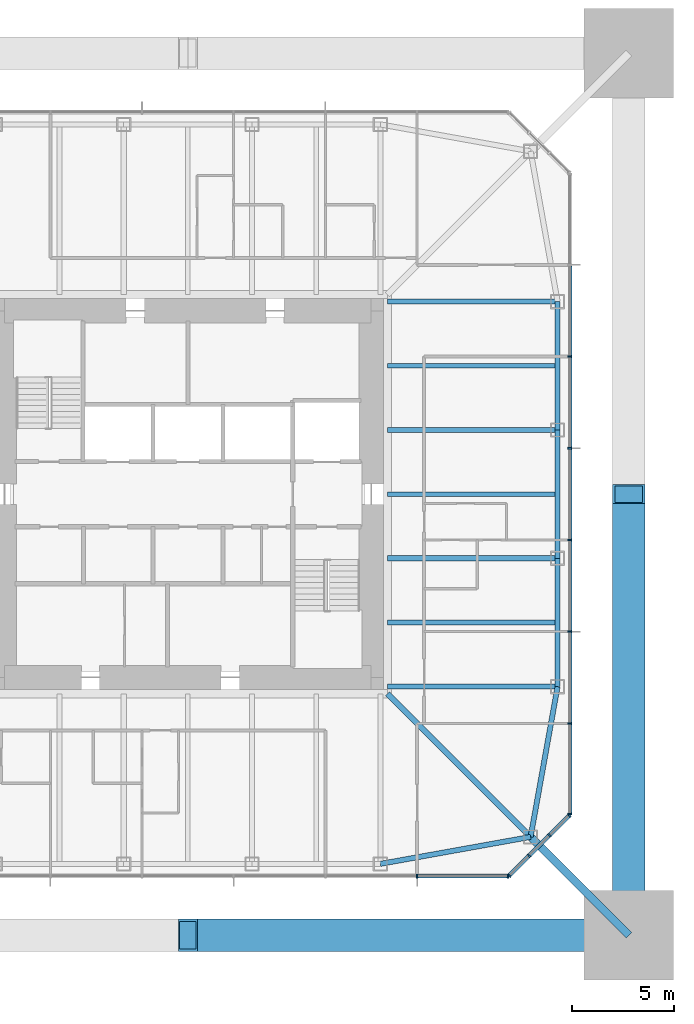
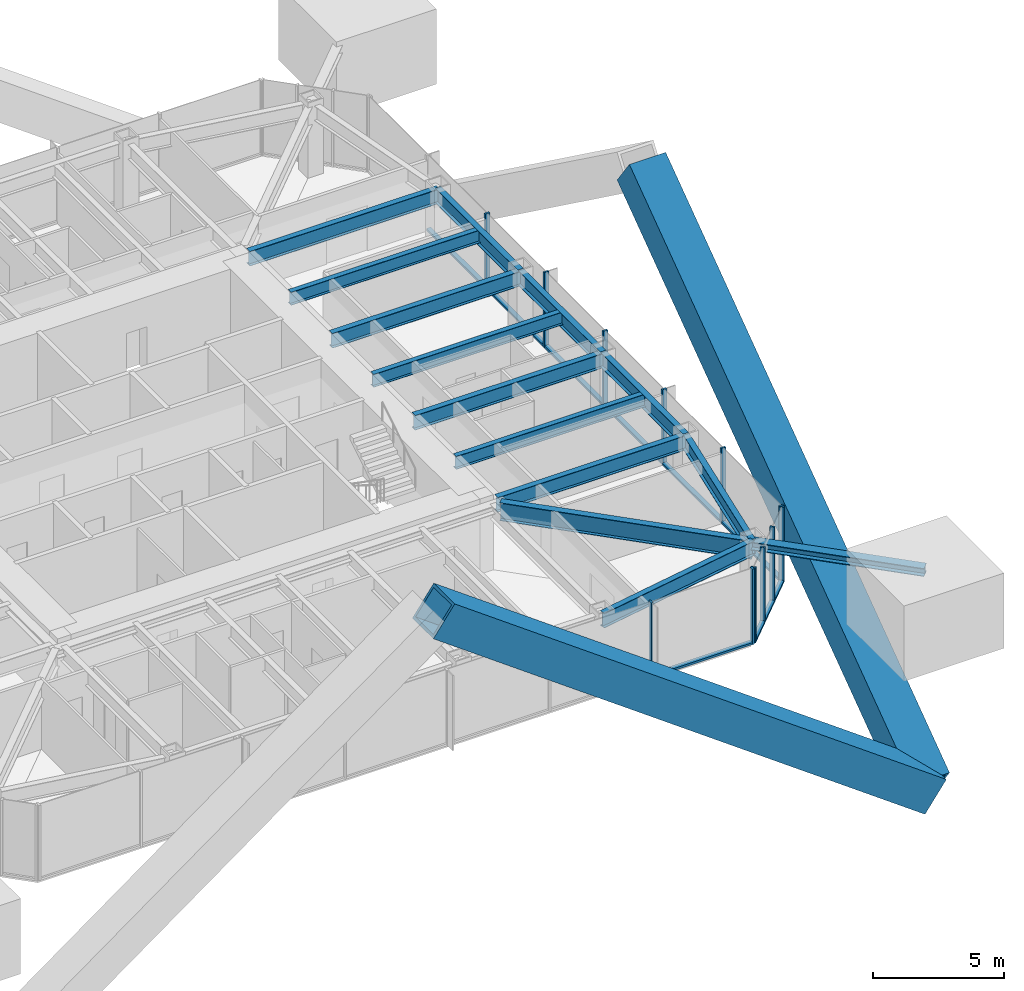
# One storey, part 4 of 13: 25 members, 13 beams, 3 elements without a shape of their own.
"""IFC4 building model written with IfcOpenShell, lengths in metres."""

from ifc_helpers import new_model, si_unit, direction, frame, origin, origin_2d, place, context, subcontext, project, spatial, rectangle, hollow_rectangle, i_section, extrude, material, material_profile, profile_set, type_object, element, aggregate, save


model = new_model("IFC4")

# Units and contexts
model_context = context("Model", 3, precision=1e-05, world=origin(), true_north=direction((0.0, 1.0)))
body_context = subcontext(model_context, "Body", "Model", "MODEL_VIEW")
ifc_project = project(units=[si_unit("LENGTHUNIT", "METRE"), si_unit("AREAUNIT", "SQUARE_METRE"), si_unit("VOLUMEUNIT", "CUBIC_METRE"), si_unit("PLANEANGLEUNIT", "RADIAN"), si_unit("MASSUNIT", "GRAM", prefix="KILO")], contexts=[model_context])

# Site, building, storey
site_placement = place(None, origin())
site = spatial("IfcSite", under=ifc_project, at=site_placement, CompositionType="ELEMENT")
building_placement = place(site_placement, origin())
building = spatial("IfcBuilding", under=site, at=building_placement, Name="Iwan Alto Co-Living Towers", CompositionType="ELEMENT")
storey_placement = place(building_placement, frame((0.0, 0.0, 184.5)))
storey = spatial("IfcBuildingStorey", under=building, at=storey_placement, Name="L50", CompositionType="ELEMENT", Elevation=184.5)

# Curtain wall, members
ifc_material_1 = material(Name="Bronze aluminium unitised frame", Category="aluminium")
curtain_wall_type_1 = type_object("IfcCurtainWallType", Name="CURTAIN WALL CW-A", PredefinedType="NOTDEFINED", material=ifc_material_1)
curtain_wall_1_placement = place(storey_placement, origin())
curtain_wall_1 = element("IfcCurtainWall", 1, at=curtain_wall_1_placement, inside=storey, type_object=curtain_wall_type_1, Name="T1 curtain wall S L50", PredefinedType="NOTDEFINED")
ifc_material_2 = material(Name="Aluminium 6063-T6 bronze anodised", Category="aluminium")
ifc_material_profile_1 = material_profile(ifc_material_2, rectangle(XDim=0.199951171875, YDim=0.080078125, at=origin_2d()), Name="AL 80X200")
ifc_profile_set_1 = profile_set([ifc_material_profile_1], Name="Aluminium 6063-T6 bronze anodised")
member_type_1 = type_object("IfcMemberType", Name="CW-A MULLION 80X200", PredefinedType="MULLION", material=ifc_profile_set_1)
member_1_placement = place(storey_placement, frame((11.25, -18.75, 0.0), z_axis=(0.0, 0.0, 1.0), x_axis=(0.0, 1.0, 0.0)))
member_1 = element("IfcMember", 2, at=member_1_placement, type_object=member_type_1, Name="CW-A mullion 7", PredefinedType="MULLION", context=body_context, shape_type="SweptSolid", body=[
    extrude(rectangle(XDim=0.199951171875, YDim=0.080078125, at=origin_2d()), origin(), (0.0, 0.0, 1.0), 3.5),
])
member_2_placement = place(storey_placement, frame((15.7099609375, -18.75, 0.0), z_axis=(0.0, 0.0, 1.0), x_axis=(0.0, 1.0, 0.0)))
member_2 = element("IfcMember", 3, at=member_2_placement, type_object=member_type_1, Name="CW-A mullion 8", PredefinedType="MULLION", context=body_context, shape_type="SweptSolid", body=[
    extrude(rectangle(XDim=0.199951171875, YDim=0.080078125, at=origin_2d()), origin(), (0.0, 0.0, 1.0), 3.5),
])

curtain_wall_2_placement = place(storey_placement, origin())
curtain_wall_2 = element("IfcCurtainWall", 4, at=curtain_wall_2_placement, inside=storey, type_object=curtain_wall_type_1, Name="T1 curtain wall E L50", PredefinedType="NOTDEFINED")
member_3_placement = place(storey_placement, frame((18.75, -15.7099609375, 0.0), z_axis=(0.0, 0.0, 1.0), x_axis=(-1.0, 0.0, 0.0)))
member_3 = element("IfcMember", 5, at=member_3_placement, type_object=member_type_1, Name="CW-A mullion 1", PredefinedType="MULLION", context=body_context, shape_type="SweptSolid", body=[
    extrude(rectangle(XDim=0.199951171875, YDim=0.080078125, at=origin_2d()), origin(), (0.0, 0.0, 1.0), 3.5),
])
member_4_placement = place(storey_placement, frame((18.75, -11.25, 0.0), z_axis=(0.0, 0.0, 1.0), x_axis=(-1.0, 0.0, 0.0)))
member_4 = element("IfcMember", 6, at=member_4_placement, type_object=member_type_1, Name="CW-A mullion 2", PredefinedType="MULLION", context=body_context, shape_type="SweptSolid", body=[
    extrude(rectangle(XDim=0.199951171875, YDim=0.080078125, at=origin_2d()), origin(), (0.0, 0.0, 1.0), 3.5),
])
member_5_placement = place(storey_placement, frame((18.75, -6.75, 0.0), z_axis=(0.0, 0.0, 1.0), x_axis=(-1.0, 0.0, 0.0)))
member_5 = element("IfcMember", 7, at=member_5_placement, type_object=member_type_1, Name="CW-A mullion 3", PredefinedType="MULLION", context=body_context, shape_type="SweptSolid", body=[
    extrude(rectangle(XDim=0.199951171875, YDim=0.080078125, at=origin_2d()), origin(), (0.0, 0.0, 1.0), 3.5),
])
member_6_placement = place(storey_placement, frame((18.75, -2.25, 0.0), z_axis=(0.0, 0.0, 1.0), x_axis=(-1.0, 0.0, 0.0)))
member_6 = element("IfcMember", 8, at=member_6_placement, type_object=member_type_1, Name="CW-A mullion 4", PredefinedType="MULLION", context=body_context, shape_type="SweptSolid", body=[
    extrude(rectangle(XDim=0.199951171875, YDim=0.080078125, at=origin_2d()), origin(), (0.0, 0.0, 1.0), 3.5),
])
member_7_placement = place(storey_placement, frame((18.75, 2.25, 0.0), z_axis=(0.0, 0.0, 1.0), x_axis=(-1.0, 0.0, 0.0)))
member_7 = element("IfcMember", 9, at=member_7_placement, type_object=member_type_1, Name="CW-A mullion 5", PredefinedType="MULLION", context=body_context, shape_type="SweptSolid", body=[
    extrude(rectangle(XDim=0.199951171875, YDim=0.080078125, at=origin_2d()), origin(), (0.0, 0.0, 1.0), 3.5),
])
member_8_placement = place(storey_placement, frame((18.75, 6.75, 0.0), z_axis=(0.0, 0.0, 1.0), x_axis=(-1.0, 0.0, 0.0)))
member_8 = element("IfcMember", 10, at=member_8_placement, type_object=member_type_1, Name="CW-A mullion 6", PredefinedType="MULLION", context=body_context, shape_type="SweptSolid", body=[
    extrude(rectangle(XDim=0.199951171875, YDim=0.080078125, at=origin_2d()), origin(), (0.0, 0.0, 1.0), 3.5),
])

# Member
ifc_material_3 = material(Name="Aluminium 6063-T6 bronze anodised", Category="aluminium")
ifc_material_profile_2 = material_profile(ifc_material_3, rectangle(XDim=0.199951171875, YDim=0.10009765625, at=origin_2d()), Name="AL 200X100")
ifc_profile_set_2 = profile_set([ifc_material_profile_2], Name="Aluminium 6063-T6 bronze anodised")
member_type_2 = type_object("IfcMemberType", Name="CW-A TRANSOM 200X100", PredefinedType="USERDEFINED", material=ifc_profile_set_2)
member_9_placement = place(storey_placement, frame((11.2900390625, -18.75, 0.050048828125), z_axis=(1.0, 0.0, 0.0), x_axis=(0.0, 1.0, 0.0)))
member_9 = element("IfcMember", 11, at=member_9_placement, type_object=member_type_2, Name="CW-A transom 7.1", ObjectType="TRANSOM", PredefinedType="USERDEFINED", context=body_context, shape_type="SweptSolid", body=[
    extrude(rectangle(XDim=0.199951171875, YDim=0.10009765625, at=origin_2d()), origin(), (0.0, 0.0, 1.0), 4.3798828125),
])

aggregate(curtain_wall_1, [member_1, member_2, member_9])

member_10_placement = place(storey_placement, frame((18.75, -15.669921875, 0.050048828125), z_axis=(0.0, 1.0, 0.0), x_axis=(-1.0, 0.0, 0.0)))
member_10 = element("IfcMember", 12, at=member_10_placement, type_object=member_type_2, Name="CW-A transom 1.1", ObjectType="TRANSOM", PredefinedType="USERDEFINED", context=body_context, shape_type="SweptSolid", body=[
    extrude(rectangle(XDim=0.199951171875, YDim=0.10009765625, at=origin_2d()), origin(), (0.0, 0.0, 1.0), 4.3798828125),
])

member_11_placement = place(storey_placement, frame((18.75, -11.2099609375, 0.050048828125), z_axis=(0.0, 1.0, 0.0), x_axis=(-1.0, 0.0, 0.0)))
member_11 = element("IfcMember", 13, at=member_11_placement, type_object=member_type_2, Name="CW-A transom 2.1", ObjectType="TRANSOM", PredefinedType="USERDEFINED", context=body_context, shape_type="SweptSolid", body=[
    extrude(rectangle(XDim=0.199951171875, YDim=0.10009765625, at=origin_2d()), origin(), (0.0, 0.0, 1.0), 4.419921875),
])

member_12_placement = place(storey_placement, frame((18.75, -6.7099609375, 0.050048828125), z_axis=(0.0, 1.0, 0.0), x_axis=(-1.0, 0.0, 0.0)))
member_12 = element("IfcMember", 14, at=member_12_placement, type_object=member_type_2, Name="CW-A transom 3.1", ObjectType="TRANSOM", PredefinedType="USERDEFINED", context=body_context, shape_type="SweptSolid", body=[
    extrude(rectangle(XDim=0.199951171875, YDim=0.10009765625, at=origin_2d()), origin(), (0.0, 0.0, 1.0), 4.419921875),
])

member_13_placement = place(storey_placement, frame((18.75, -2.2099609375, 0.050048828125), z_axis=(0.0, 1.0, 0.0), x_axis=(-1.0, 0.0, 0.0)))
member_13 = element("IfcMember", 15, at=member_13_placement, type_object=member_type_2, Name="CW-A transom 4.1", ObjectType="TRANSOM", PredefinedType="USERDEFINED", context=body_context, shape_type="SweptSolid", body=[
    extrude(rectangle(XDim=0.199951171875, YDim=0.10009765625, at=origin_2d()), origin(), (0.0, 0.0, 1.0), 4.419921875),
])

member_14_placement = place(storey_placement, frame((18.75, 2.2900390625, 0.050048828125), z_axis=(0.0, 1.0, 0.0), x_axis=(-1.0, 0.0, 0.0)))
member_14 = element("IfcMember", 16, at=member_14_placement, type_object=member_type_2, Name="CW-A transom 5.1", ObjectType="TRANSOM", PredefinedType="USERDEFINED", context=body_context, shape_type="SweptSolid", body=[
    extrude(rectangle(XDim=0.199951171875, YDim=0.10009765625, at=origin_2d()), origin(), (0.0, 0.0, 1.0), 4.419921875),
])

member_15_placement = place(storey_placement, frame((18.75, 6.7900390625, 0.050048828125), z_axis=(0.0, 1.0, 0.0), x_axis=(-1.0, 0.0, 0.0)))
member_15 = element("IfcMember", 17, at=member_15_placement, type_object=member_type_2, Name="CW-A transom 6.1", ObjectType="TRANSOM", PredefinedType="USERDEFINED", context=body_context, shape_type="SweptSolid", body=[
    extrude(rectangle(XDim=0.199951171875, YDim=0.10009765625, at=origin_2d()), origin(), (0.0, 0.0, 1.0), 4.419921875),
])

aggregate(curtain_wall_2, [member_3, member_4, member_5, member_6, member_7, member_8, member_10, member_11, member_12, member_13, member_14, member_15])

# Curtain wall, members
ifc_material_4 = material(Name="Bronze aluminium unitised frame", Category="aluminium")
curtain_wall_type_2 = type_object("IfcCurtainWallType", Name="CURTAIN WALL CW-B", PredefinedType="NOTDEFINED", material=ifc_material_4)
curtain_wall_3_placement = place(storey_placement, origin())
curtain_wall_3 = element("IfcCurtainWall", 18, at=curtain_wall_3_placement, inside=storey, type_object=curtain_wall_type_2, Name="T1 chamfer curtain wall SE L50", PredefinedType="NOTDEFINED")
ifc_material_5 = material(Name="Aluminium 6063-T6 bronze anodised", Category="aluminium")
ifc_material_profile_3 = material_profile(ifc_material_5, rectangle(XDim=0.199951171875, YDim=0.080078125, at=origin_2d()), Name="AL 80X200")
ifc_profile_set_3 = profile_set([ifc_material_profile_3], Name="Aluminium 6063-T6 bronze anodised")
member_type_3 = type_object("IfcMemberType", Name="CW-B MULLION 80X200", PredefinedType="MULLION", material=ifc_profile_set_3)
member_16_placement = place(storey_placement, frame((15.7783203125, -18.7216796875, 0.0), z_axis=(0.0, 0.0, 1.0), x_axis=(-0.707106781187, 0.707106781187, 0.0)))
member_16 = element("IfcMember", 19, at=member_16_placement, type_object=member_type_3, Name="CW-B mullion 1", PredefinedType="MULLION", context=body_context, shape_type="SweptSolid", body=[
    extrude(rectangle(XDim=0.199951171875, YDim=0.080078125, at=origin_2d()), origin(), (0.0, 0.0, 1.0), 3.5),
])
member_17_placement = place(storey_placement, frame((16.75, -17.75, 0.0), z_axis=(0.0, 0.0, 1.0), x_axis=(-0.707106781187, 0.707106781187, 0.0)))
member_17 = element("IfcMember", 20, at=member_17_placement, type_object=member_type_3, Name="CW-B mullion 2", PredefinedType="MULLION", context=body_context, shape_type="SweptSolid", body=[
    extrude(rectangle(XDim=0.199951171875, YDim=0.080078125, at=origin_2d()), origin(), (0.0, 0.0, 1.0), 3.5),
])
member_18_placement = place(storey_placement, frame((17.75, -16.75, 0.0), z_axis=(0.0, 0.0, 1.0), x_axis=(-0.707106781187, 0.707106781187, 0.0)))
member_18 = element("IfcMember", 21, at=member_18_placement, type_object=member_type_3, Name="CW-B mullion 3", PredefinedType="MULLION", context=body_context, shape_type="SweptSolid", body=[
    extrude(rectangle(XDim=0.199951171875, YDim=0.080078125, at=origin_2d()), origin(), (0.0, 0.0, 1.0), 3.5),
])
member_19_placement = place(storey_placement, frame((18.7216796875, -15.7783203125, 0.0), z_axis=(0.0, 0.0, 1.0), x_axis=(-0.707106781187, 0.707106781187, 0.0)))
member_19 = element("IfcMember", 22, at=member_19_placement, type_object=member_type_3, Name="CW-B mullion 4", PredefinedType="MULLION", context=body_context, shape_type="SweptSolid", body=[
    extrude(rectangle(XDim=0.199951171875, YDim=0.080078125, at=origin_2d()), origin(), (0.0, 0.0, 1.0), 3.5),
])
ifc_material_6 = material(Name="Aluminium 6063-T6 bronze anodised", Category="aluminium")
ifc_material_profile_4 = material_profile(ifc_material_6, rectangle(XDim=0.199951171875, YDim=0.10009765625, at=origin_2d()), Name="AL 200X100")
ifc_profile_set_4 = profile_set([ifc_material_profile_4], Name="Aluminium 6063-T6 bronze anodised")
member_type_4 = type_object("IfcMemberType", Name="CW-B TRANSOM 200X100", PredefinedType="USERDEFINED", material=ifc_profile_set_4)
member_20_placement = place(storey_placement, frame((15.806640625, -18.693359375, 0.050048828125), z_axis=(0.707106781187, 0.707106781187, 0.0), x_axis=(-0.707106781187, 0.707106781187, 0.0)))
member_20 = element("IfcMember", 23, at=member_20_placement, type_object=member_type_4, Name="CW-B transom 1.1", ObjectType="TRANSOM", PredefinedType="USERDEFINED", context=body_context, shape_type="SweptSolid", body=[
    extrude(rectangle(XDim=0.199951171875, YDim=0.10009765625, at=origin_2d()), origin(), (0.0, 0.0, 1.0), 1.2939453125),
])
member_21_placement = place(storey_placement, frame((16.7783203125, -17.7216796875, 0.050048828125), z_axis=(0.707106781187, 0.707106781187, 0.0), x_axis=(-0.707106781187, 0.707106781187, 0.0)))
member_21 = element("IfcMember", 24, at=member_21_placement, type_object=member_type_4, Name="CW-B transom 2.1", ObjectType="TRANSOM", PredefinedType="USERDEFINED", context=body_context, shape_type="SweptSolid", body=[
    extrude(rectangle(XDim=0.199951171875, YDim=0.10009765625, at=origin_2d()), origin(), (0.0, 0.0, 1.0), 1.334228515625),
])
member_22_placement = place(storey_placement, frame((17.7783203125, -16.7216796875, 0.050048828125), z_axis=(0.707106781187, 0.707106781187, 0.0), x_axis=(-0.707106781187, 0.707106781187, 0.0)))
member_22 = element("IfcMember", 25, at=member_22_placement, type_object=member_type_4, Name="CW-B transom 3.1", ObjectType="TRANSOM", PredefinedType="USERDEFINED", context=body_context, shape_type="SweptSolid", body=[
    extrude(rectangle(XDim=0.199951171875, YDim=0.10009765625, at=origin_2d()), origin(), (0.0, 0.0, 1.0), 1.2939453125),
])
aggregate(curtain_wall_3, [member_16, member_17, member_18, member_19, member_20, member_21, member_22])

# Beams
ifc_material_7 = material(Name="Steel ASTM A992 Gr 50", Category="steel")
ifc_material_profile_5 = material_profile(ifc_material_7, i_section(OverallWidth=0.2919921875, OverallDepth=0.8408203125, WebThickness=0.0146484375, FlangeThickness=0.021728515625, at=origin_2d()), Name="W33X130")
ifc_profile_set_5 = profile_set([ifc_material_profile_5], Name="Steel ASTM A992 Gr 50")
beam_type_1 = type_object("IfcBeamType", Name="T1 CORNER GIRDER W33X130", PredefinedType="BEAM", material=ifc_profile_set_5)
beam_1_placement = place(storey_placement, frame((16.82568359375, -16.82568359375, 2.849609375), z_axis=(-0.707106781187, 0.707106781187, 0.0), x_axis=(-0.707106781187, -0.707106781187, 0.0)))
element("IfcBeam", 26, at=beam_1_placement, inside=storey, type_object=beam_type_1, Name="T1 corner girder CSE L51", PredefinedType="BEAM", context=body_context, shape_type="SweptSolid", body=[
    extrude(i_section(OverallWidth=0.2919921875, OverallDepth=0.8408203125, WebThickness=0.0146484375, FlangeThickness=0.021728515625, at=origin_2d()), origin(), (0.0, 0.0, 1.0), 9.936767578125),
])
ifc_material_8 = material(Name="Steel ASTM A992 Gr 50", Category="steel")
ifc_material_profile_6 = material_profile(ifc_material_8, i_section(OverallWidth=0.25390625, OverallDepth=0.683349609375, WebThickness=0.012451171875, FlangeThickness=0.018798828125, at=origin_2d()), Name="W27X94")
ifc_profile_set_6 = profile_set([ifc_material_profile_6], Name="Steel ASTM A992 Gr 50")
beam_type_2 = type_object("IfcBeamType", Name="T1 EDGE BEAM W27X94", PredefinedType="BEAM", material=ifc_profile_set_6)
for number, where, z_axis, x_axis, name in (
    (27, (9.449951171875, -18.14990234375, 2.928466796875), (0.98426263553, 0.17671181143, 0.0), (-0.17671181143, 0.98426263553, 0.0), "T1 edge beam S4 L51"),
    (28, (16.82568359375, -16.82568359375, 2.928466796875), (0.17671181143, 0.98426263553, 0.0), (-0.98426263553, 0.17671181143, 0.0), "T1 edge beam CSE L51"),
):
    element("IfcBeam", number, at=place(storey_placement, frame(where, z_axis=z_axis, x_axis=x_axis)), inside=storey, type_object=beam_type_2, Name=name, PredefinedType="BEAM", context=body_context, shape_type="SweptSolid", body=[
        extrude(i_section(OverallWidth=0.25390625, OverallDepth=0.683349609375, WebThickness=0.012451171875, FlangeThickness=0.018798828125, at=origin_2d()), origin(), (0.0, 0.0, 1.0), 7.49365234375),
    ])
beam_2_placement = place(storey_placement, frame((18.14990234375, -9.449951171875, 2.928466796875), z_axis=(0.0, 1.0, 0.0), x_axis=(-1.0, 0.0, 0.0)))
element("IfcBeam", 29, at=beam_2_placement, inside=storey, type_object=beam_type_2, Name="T1 edge beam E1 L51", PredefinedType="BEAM", context=body_context, shape_type="SweptSolid", body=[
    extrude(i_section(OverallWidth=0.25390625, OverallDepth=0.683349609375, WebThickness=0.012451171875, FlangeThickness=0.018798828125, at=origin_2d()), origin(), (0.0, 0.0, 1.0), 6.300048828125),
])
beam_3_placement = place(storey_placement, frame((18.14990234375, -3.14990234375, 2.928466796875), z_axis=(0.0, 1.0, 0.0), x_axis=(-1.0, 0.0, 0.0)))
element("IfcBeam", 30, at=beam_3_placement, inside=storey, type_object=beam_type_2, Name="T1 edge beam E2 L51", PredefinedType="BEAM", context=body_context, shape_type="SweptSolid", body=[
    extrude(i_section(OverallWidth=0.25390625, OverallDepth=0.683349609375, WebThickness=0.012451171875, FlangeThickness=0.018798828125, at=origin_2d()), origin(), (0.0, 0.0, 1.0), 6.2998046875),
])
beam_4_placement = place(storey_placement, frame((18.14990234375, 3.14990234375, 2.928466796875), z_axis=(0.0, 1.0, 0.0), x_axis=(-1.0, 0.0, 0.0)))
element("IfcBeam", 31, at=beam_4_placement, inside=storey, type_object=beam_type_2, Name="T1 edge beam E3 L51", PredefinedType="BEAM", context=body_context, shape_type="SweptSolid", body=[
    extrude(i_section(OverallWidth=0.25390625, OverallDepth=0.683349609375, WebThickness=0.012451171875, FlangeThickness=0.018798828125, at=origin_2d()), origin(), (0.0, 0.0, 1.0), 6.300048828125),
])

# Members
ifc_material_9 = material(Name="Steel ASTM A572 Gr 42", Category="steel")
ifc_material_profile_7 = material_profile(ifc_material_9, hollow_rectangle(XDim=1.60009765625, YDim=1.60009765625, WallThickness=0.1201171875, at=origin_2d()), Name="BOX 1600X1600X120")
ifc_profile_set_7 = profile_set([ifc_material_profile_7], Name="Steel ASTM A572 Gr 42")
member_type_5 = type_object("IfcMemberType", Name="T1 MEGA BRACE BOX 1600X1600X120", PredefinedType="BRACE", material=ifc_profile_set_7)
for number, where, z_axis, x_axis, name in (
    (32, (21.64990234375, -21.64990234375, -7.0), (-0.808654054795, 0.0, 0.588284471717), (0.0, -1.0, 0.0), "T1 mega brace Z3B S 2 lower"),
    (33, (21.64990234375, -21.64990234375, -7.0), (0.0, 0.808654054795, 0.588284471717), (-1.0, 0.0, 0.0), "T1 mega brace Z3B E 1 lower"),
):
    element("IfcMember", number, at=place(storey_placement, frame(where, z_axis=z_axis, x_axis=x_axis)), inside=storey, type_object=member_type_5, Name=name, PredefinedType="BRACE", context=body_context, shape_type="SweptSolid", body=[
        extrude(hollow_rectangle(XDim=1.60009765625, YDim=1.60009765625, WallThickness=0.1201171875, at=origin_2d()), origin(), (0.0, 0.0, 1.0), 26.772705078125),
    ])
ifc_material_10 = material(Name="Steel ASTM A992 Gr 50", Category="steel")
ifc_material_profile_8 = material_profile(ifc_material_10, i_section(OverallWidth=0.393798828125, OverallDepth=0.3759765625, WebThickness=0.017333984375, FlangeThickness=0.027587890625, at=origin_2d()), Name="W14X145")
ifc_profile_set_8 = profile_set([ifc_material_profile_8], Name="Steel ASTM A992 Gr 50")
member_type_6 = type_object("IfcMemberType", Name="T1 MEGA COLUMN FLOOR TIE W14X145", PredefinedType="STRUT", material=ifc_profile_set_8)
member_23_placement = place(storey_placement, frame((21.64990234375, -21.64990234375, 3.08203125), z_axis=(-0.707106781187, 0.707106781187, 0.0), x_axis=(-0.707106781187, -0.707106781187, 0.0)))
element("IfcMember", 34, at=member_23_placement, inside=storey, type_object=member_type_6, Name="T1 mega column floor tie SE L51", PredefinedType="STRUT", context=body_context, shape_type="SweptSolid", body=[
    extrude(i_section(OverallWidth=0.393798828125, OverallDepth=0.3759765625, WebThickness=0.017333984375, FlangeThickness=0.027587890625, at=origin_2d()), origin(), (0.0, 0.0, 1.0), 6.822509765625),
])

# Beams
ifc_material_11 = material(Name="Steel ASTM A992 Gr 50", Category="steel")
ifc_material_profile_9 = material_profile(ifc_material_11, i_section(OverallWidth=0.25390625, OverallDepth=0.683349609375, WebThickness=0.012451171875, FlangeThickness=0.018798828125, at=origin_2d()), Name="W27X94")
ifc_profile_set_9 = profile_set([ifc_material_profile_9], Name="Steel ASTM A992 Gr 50")
beam_type_3 = type_object("IfcBeamType", Name="T1 RADIAL BEAM W27X94", PredefinedType="BEAM", material=ifc_profile_set_9)
for number, where, z_axis, x_axis, name in (
    (35, (18.14990234375, -9.449951171875, 2.928466796875), (-1.0, 0.0, 0.0), (0.0, -1.0, 0.0), "T1 radial beam E1 L51"),
    (36, (18.14990234375, -3.14990234375, 2.928466796875), (-1.0, 0.0, 0.0), (0.0, -1.0, 0.0), "T1 radial beam E2 L51"),
    (37, (18.14990234375, 3.14990234375, 2.928466796875), (-1.0, 0.0, 0.0), (0.0, -1.0, 0.0), "T1 radial beam E3 L51"),
    (38, (18.14990234375, 9.449951171875, 2.928466796875), (-1.0, 0.0, 0.0), (0.0, -1.0, 0.0), "T1 radial beam E4 L51"),
):
    element("IfcBeam", number, at=place(storey_placement, frame(where, z_axis=z_axis, x_axis=x_axis)), inside=storey, type_object=beam_type_3, Name=name, PredefinedType="BEAM", context=body_context, shape_type="SweptSolid", body=[
        extrude(i_section(OverallWidth=0.25390625, OverallDepth=0.683349609375, WebThickness=0.012451171875, FlangeThickness=0.018798828125, at=origin_2d()), origin(), (0.0, 0.0, 1.0), 8.3505859375),
    ])
ifc_material_12 = material(Name="Steel ASTM A992 Gr 50", Category="steel")
ifc_material_profile_10 = material_profile(ifc_material_12, i_section(OverallWidth=0.228271484375, OverallDepth=0.607177734375, WebThickness=0.01123046875, FlangeThickness=0.017333984375, at=origin_2d()), Name="W24X76")
ifc_profile_set_10 = profile_set([ifc_material_profile_10], Name="Steel ASTM A992 Gr 50")
beam_type_4 = type_object("IfcBeamType", Name="T1 SECONDARY BEAM W24X76", PredefinedType="JOIST", material=ifc_profile_set_10)
for number, where, z_axis, x_axis, name in (
    (39, (18.14990234375, -6.300048828125, 2.966552734375), (-1.0, 0.0, 0.0), (0.0, -1.0, 0.0), "T1 secondary beam E1 L51"),
    (40, (18.14990234375, 0.0, 2.966552734375), (-1.0, 0.0, 0.0), (0.0, -1.0, 0.0), "T1 secondary beam E2 L51"),
    (41, (18.14990234375, 6.300048828125, 2.966552734375), (-1.0, 0.0, 0.0), (0.0, -1.0, 0.0), "T1 secondary beam E3 L51"),
):
    element("IfcBeam", number, at=place(storey_placement, frame(where, z_axis=z_axis, x_axis=x_axis)), inside=storey, type_object=beam_type_4, Name=name, PredefinedType="JOIST", context=body_context, shape_type="SweptSolid", body=[
        extrude(i_section(OverallWidth=0.228271484375, OverallDepth=0.607177734375, WebThickness=0.01123046875, FlangeThickness=0.017333984375, at=origin_2d()), origin(), (0.0, 0.0, 1.0), 8.3505859375),
    ])

save(model, "model.ifc")
